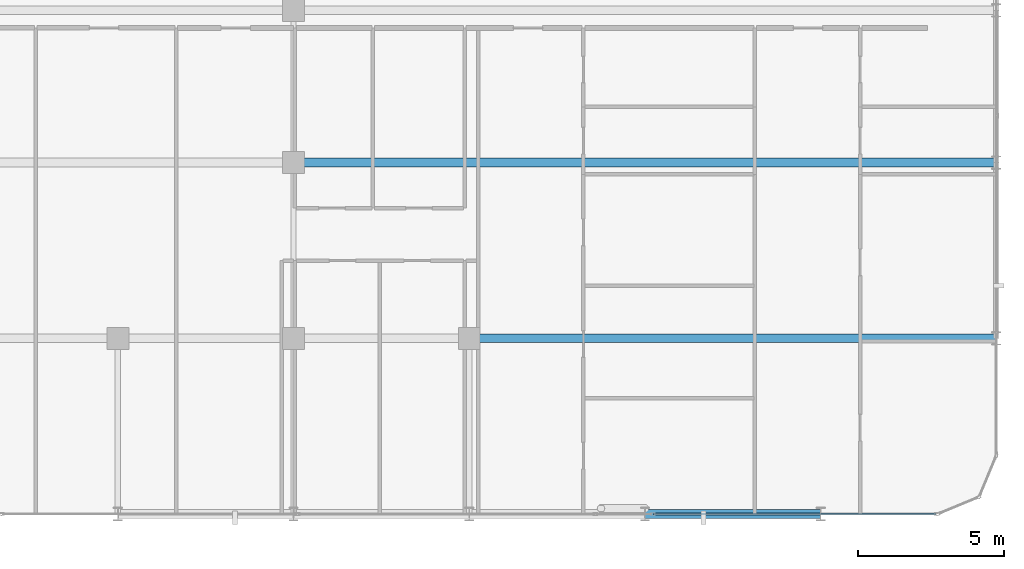
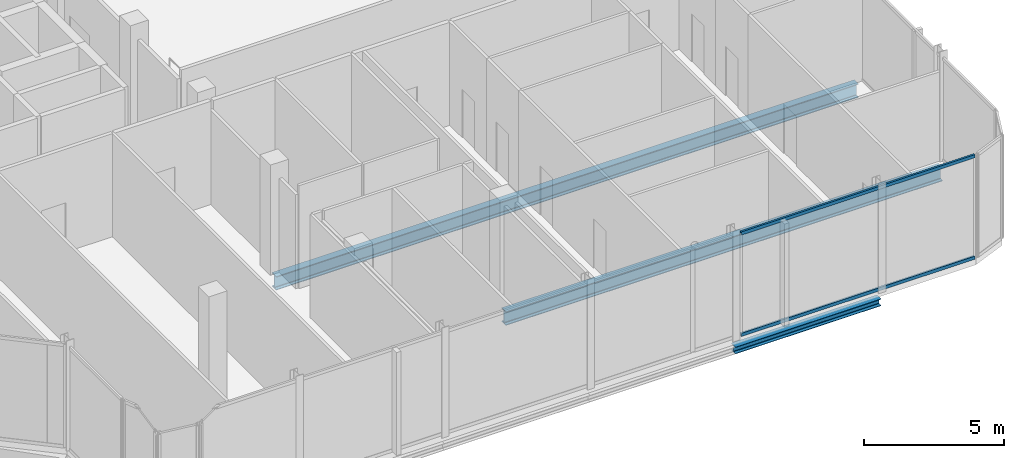
# One storey, part 11 of 29: 3 beams, 2 members, 1 element without a shape of its own.
"""IFC4 building model written with IfcOpenShell, lengths in metres."""

from ifc_helpers import new_model, si_unit, direction, frame, origin, origin_2d, place, context, subcontext, project, spatial, hollow_rectangle, i_section, extrude, material, layer, layer_set, material_profile, profile_set, type_object, element, aggregate, save


model = new_model("IFC4")

# Units and contexts
model_context = context("Model", 3, precision=1e-05, world=origin(), true_north=direction((0.0, 1.0)))
body_context = subcontext(model_context, "Body", "Model", "MODEL_VIEW")
ifc_project = project(units=[si_unit("LENGTHUNIT", "METRE"), si_unit("AREAUNIT", "SQUARE_METRE"), si_unit("VOLUMEUNIT", "CUBIC_METRE"), si_unit("PLANEANGLEUNIT", "RADIAN"), si_unit("MASSUNIT", "GRAM", prefix="KILO")], contexts=[model_context])

# Site, building, storey
site_placement = place(None, origin())
site = spatial("IfcSite", under=ifc_project, at=site_placement, CompositionType="ELEMENT")
building_placement = place(site_placement, origin())
building = spatial("IfcBuilding", under=site, at=building_placement, Name="Keshet Zoharim Tower", CompositionType="ELEMENT")
storey_placement = place(building_placement, frame((0.0, 0.0, 218.0)))
storey = spatial("IfcBuildingStorey", under=building, at=storey_placement, Name="L54", CompositionType="ELEMENT", Elevation=218.0)

# Beams
ifc_material_1 = material(Name="Steel S355", Category="steel")
ifc_material_profile_1 = material_profile(ifc_material_1, i_section(OverallWidth=0.300048828125, OverallDepth=0.60009765625, WebThickness=0.015380859375, FlangeThickness=0.030029296875, FilletRadius=0.027099609375, at=origin_2d()), Name="HEB600")
ifc_profile_set_1 = profile_set([ifc_material_profile_1], Name="Steel S355")
beam_type_1 = type_object("IfcBeamType", Name="BM-LNG-HB600", PredefinedType="BEAM", material=ifc_profile_set_1)
beam_1_placement = place(storey_placement, frame((39.0, 6.699951171875, -0.6201171875), z_axis=(1.0, 0.0, 0.0), x_axis=(0.0, 1.0, 0.0)))
element("IfcBeam", 1, at=beam_1_placement, inside=storey, type_object=beam_type_1, Name="L54 Primary Girder X-008", PredefinedType="BEAM", context=body_context, shape_type="SweptSolid", body=[
    extrude(i_section(OverallWidth=0.300048828125, OverallDepth=0.60009765625, WebThickness=0.015380859375, FlangeThickness=0.030029296875, FilletRadius=0.027099609375, at=origin_2d()), origin(), (0.0, 0.0, 1.0), 18.0),
])
beam_2_placement = place(storey_placement, frame((33.0, 12.699951171875, -0.6201171875), z_axis=(1.0, 0.0, 0.0), x_axis=(0.0, 1.0, 0.0)))
element("IfcBeam", 2, at=beam_2_placement, inside=storey, type_object=beam_type_1, Name="L54 Primary Girder X-010", PredefinedType="BEAM", context=body_context, shape_type="SweptSolid", body=[
    extrude(i_section(OverallWidth=0.300048828125, OverallDepth=0.60009765625, WebThickness=0.015380859375, FlangeThickness=0.030029296875, FilletRadius=0.027099609375, at=origin_2d()), origin(), (0.0, 0.0, 1.0), 24.0),
])
ifc_material_profile_2 = material_profile(ifc_material_1, i_section(OverallWidth=0.300048828125, OverallDepth=0.300048828125, WebThickness=0.010986328125, FlangeThickness=0.01904296875, FilletRadius=0.027099609375, at=origin_2d()), Name="HEB300")
ifc_profile_set_2 = profile_set([ifc_material_profile_2], Name="Steel S355")
beam_type_2 = type_object("IfcBeamType", Name="BM-PRI-HB300", PredefinedType="BEAM", material=ifc_profile_set_2)
beam_3_placement = place(storey_placement, frame((45.0, 0.699951171875, -0.469970703125), z_axis=(1.0, 0.0, 0.0), x_axis=(0.0, 1.0, 0.0)))
element("IfcBeam", 3, at=beam_3_placement, inside=storey, type_object=beam_type_2, Name="L54 Primary Girder X-004", PredefinedType="BEAM", context=body_context, shape_type="SweptSolid", body=[
    extrude(i_section(OverallWidth=0.300048828125, OverallDepth=0.300048828125, WebThickness=0.010986328125, FlangeThickness=0.01904296875, FilletRadius=0.027099609375, at=origin_2d()), origin(), (0.0, 0.0, 1.0), 6.0),
])

# Curtain wall, members
ifc_material_2 = material(Name="Aluminium 6063-T6", Category="aluminium")
ifc_layer = layer(ifc_material_2, 0.14990234375)
ifc_layer_set = layer_set([ifc_layer], Name="Aluminium 6063-T6")
curtain_wall_type = type_object("IfcCurtainWallType", Name="CW-SYS-04", PredefinedType="NOTDEFINED", material=ifc_layer_set)
curtain_wall_placement = place(storey_placement, origin())
curtain_wall = element("IfcCurtainWall", 4, at=curtain_wall_placement, inside=storey, type_object=curtain_wall_type, Name="L54 Unitised Curtain Wall 06", PredefinedType="NOTDEFINED")
ifc_material_profile_3 = material_profile(ifc_material_2, hollow_rectangle(XDim=0.080078125, YDim=0.139892578125, WallThickness=0.00390625, at=origin_2d()), Name="TRN-80x140")
ifc_profile_set_3 = profile_set([ifc_material_profile_3], Name="Aluminium 6063-T6")
member_type = type_object("IfcMemberType", Name="CWT-T14", PredefinedType="USERDEFINED", material=ifc_profile_set_3)
member_1_placement = place(storey_placement, frame((54.929931640625, 0.699951171875, 0.034912109375), z_axis=(-1.0, 0.0, 0.0), x_axis=(0.0, -1.0, 0.0)))
member_1 = element("IfcMember", 5, at=member_1_placement, type_object=member_type, Name="CW-04 transom 1.1", ObjectType="TRANSOM", PredefinedType="USERDEFINED", context=body_context, shape_type="SweptSolid", body=[
    extrude(hollow_rectangle(XDim=0.080078125, YDim=0.139892578125, WallThickness=0.00390625, at=origin_2d()), origin(), (0.0, 0.0, 1.0), 9.63037109375),
])
member_2_placement = place(storey_placement, frame((54.929931640625, 0.699951171875, 4.455078125), z_axis=(-1.0, 0.0, 0.0), x_axis=(0.0, -1.0, 0.0)))
member_2 = element("IfcMember", 6, at=member_2_placement, type_object=member_type, Name="CW-04 transom 1.2", ObjectType="TRANSOM", PredefinedType="USERDEFINED", context=body_context, shape_type="SweptSolid", body=[
    extrude(hollow_rectangle(XDim=0.080078125, YDim=0.139892578125, WallThickness=0.00390625, at=origin_2d()), origin(), (0.0, 0.0, 1.0), 9.63037109375),
])
aggregate(curtain_wall, [member_1, member_2])

save(model, "model.ifc")
